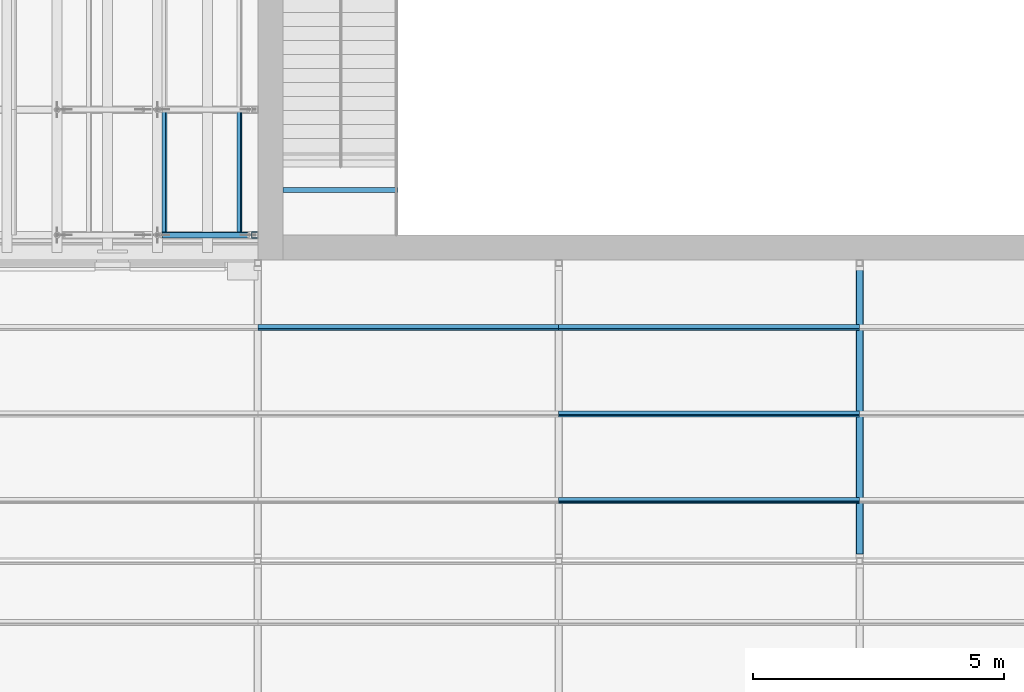
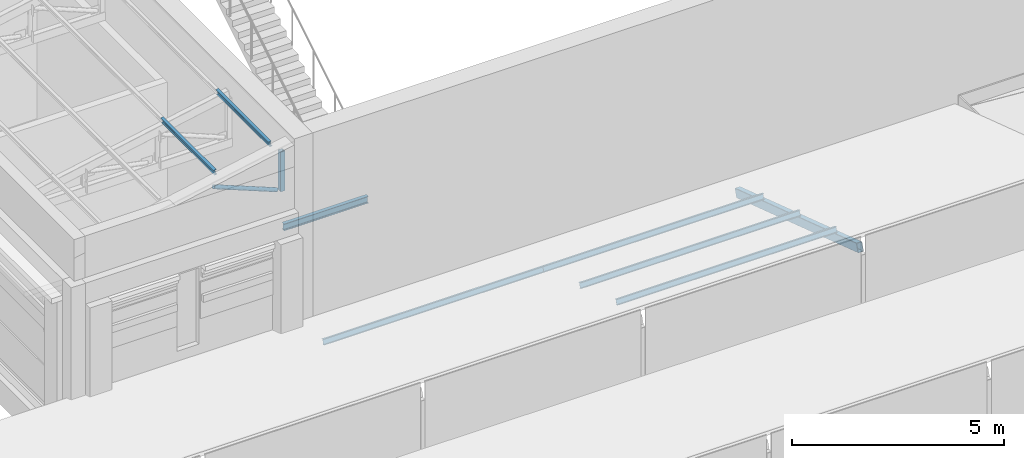
# One storey, part 15 of 118: 9 members, 1 beam.
"""IFC4 building model written with IfcOpenShell, lengths in metres."""

from ifc_helpers import new_model, si_unit, direction, frame, origin, origin_2d, place, context, subcontext, project, spatial, hollow_rectangle, hollow_circle, i_section, extrude, material, material_profile, profile_set, type_object, element, save


model = new_model("IFC4")

# Units and contexts
model_context = context("Model", 3, precision=1e-05, world=origin(), true_north=direction((0.0, 1.0)))
body_context = subcontext(model_context, "Body", "Model", "MODEL_VIEW")
ifc_project = project(units=[si_unit("LENGTHUNIT", "METRE"), si_unit("AREAUNIT", "SQUARE_METRE"), si_unit("VOLUMEUNIT", "CUBIC_METRE"), si_unit("PLANEANGLEUNIT", "RADIAN"), si_unit("MASSUNIT", "GRAM", prefix="KILO")], contexts=[model_context])

# Site, building, storey
site_placement = place(None, origin())
site = spatial("IfcSite", under=ifc_project, at=site_placement, CompositionType="ELEMENT")
building_placement = place(site_placement, origin())
building = spatial("IfcBuilding", under=site, at=building_placement, Name="Saffron Lane Theatres", CompositionType="ELEMENT")
storey_placement = place(building_placement, frame((0.0, 0.0, 16.5)))
storey = spatial("IfcBuildingStorey", under=building, at=storey_placement, Name="L03", CompositionType="ELEMENT", Elevation=16.5)

# Beam
ifc_material_1 = material(Name="Steel Grade 350", Category="steel")
ifc_material_profile_1 = material_profile(ifc_material_1, i_section(OverallWidth=0.09912109375, OverallDepth=0.197998046875, WebThickness=0.00439453125, FlangeThickness=0.007080078125, FilletRadius=0.010986328125, at=origin_2d()))
ifc_profile_set_1 = profile_set([ifc_material_profile_1], Name="Steel Grade 350")
beam_type = type_object("IfcBeamType", Name="ST-GALLERY BEAM 200UB18.2", PredefinedType="BEAM", material=ifc_profile_set_1)
beam_placement = place(storey_placement, frame((18.5, 31.39990234375, 2.950927734375), z_axis=(1.0, 0.0, 0.0), x_axis=(0.0, 1.0, 0.0)))
element("IfcBeam", 1, at=beam_placement, inside=storey, type_object=beam_type, Name="FLW19.75-1", PredefinedType="BEAM", context=body_context, shape_type="SweptSolid", body=[
    extrude(i_section(OverallWidth=0.09912109375, OverallDepth=0.197998046875, WebThickness=0.00439453125, FlangeThickness=0.007080078125, FilletRadius=0.010986328125, at=origin_2d()), origin(), (0.0, 0.0, 1.0), 2.300048828125),
])

# Members
ifc_material_2 = material(Name="Steel Grade 350", Category="steel")
ifc_material_profile_2 = material_profile(ifc_material_2, hollow_rectangle(XDim=0.125, YDim=0.125, WallThickness=0.006103515625, InnerFilletRadius=0.0029296875, OuterFilletRadius=0.009033203125, at=origin_2d()))
ifc_profile_set_2 = profile_set([ifc_material_profile_2], Name="Steel Grade 350")
member_type_1 = type_object("IfcMemberType", Name="ST-STUDIO POST 125x125x6 SHS", PredefinedType="POST", material=ifc_profile_set_2)
member_1_placement = place(storey_placement, frame((17.9375, 30.5, 4.75), z_axis=(0.0, 0.0, 1.0), x_axis=(1.0, 0.0, 0.0)))
element("IfcMember", 2, at=member_1_placement, inside=storey, type_object=member_type_1, Name="SB3-P3", PredefinedType="POST", context=body_context, shape_type="SweptSolid", body=[
    extrude(hollow_rectangle(XDim=0.125, YDim=0.125, WallThickness=0.006103515625, InnerFilletRadius=0.0029296875, OuterFilletRadius=0.009033203125, at=origin_2d()), origin(), (0.0, 0.0, 1.0), 1.140869140625),
])
ifc_material_3 = material(Name="Steel Grade 350", Category="steel")
ifc_material_profile_3 = material_profile(ifc_material_3, i_section(OverallWidth=0.074951171875, OverallDepth=0.155029296875, WebThickness=0.006103515625, FlangeThickness=0.009521484375, FilletRadius=0.008056640625, at=origin_2d()))
ifc_profile_set_3 = profile_set([ifc_material_profile_3], Name="Steel Grade 350")
member_type_2 = type_object("IfcMemberType", Name="ST-STUDIO PURLIN 150UB18.0", PredefinedType="PURLIN", material=ifc_profile_set_3)
for number, where, z_axis, x_axis, name in (
    (3, (24.0, 25.2099609375, 2.60498046875), (1.0, 0.0, 0.0), (0.0, 0.949628648787, -0.313377455162), "GSU55"),
    (4, (24.0, 26.93115234375, 2.036865234375), (1.0, 0.0, 0.0), (0.0, 0.949628648787, -0.313377455162), "GSU60"),
    (5, (18.0, 28.652587890625, 1.468994140625), (1.0, 0.0, 0.0), (0.0, 0.949628648787, -0.313377455162), "GSU64"),
    (6, (24.0, 28.652587890625, 1.468994140625), (1.0, 0.0, 0.0), (0.0, 0.949628648787, -0.313377455162), "GSU65"),
):
    element("IfcMember", number, at=place(storey_placement, frame(where, z_axis=z_axis, x_axis=x_axis)), inside=storey, type_object=member_type_2, Name=name, PredefinedType="PURLIN", context=body_context, shape_type="SweptSolid", body=[
        extrude(i_section(OverallWidth=0.074951171875, OverallDepth=0.155029296875, WebThickness=0.006103515625, FlangeThickness=0.009521484375, FilletRadius=0.008056640625, at=origin_2d()), origin(), (0.0, 0.0, 1.0), 6.0),
    ])
for number, where, z_axis, x_axis, name in (
    (7, (16.137451171875, 30.5, 5.88720703125), (0.0, 1.0, 0.0), (-0.981660567439, 0.0, -0.190637169344), "SB3-U53"),
    (8, (17.637451171875, 30.5, 6.178466796875), (0.0, 1.0, 0.0), (-0.981660567439, 0.0, -0.190637169344), "SB3-U58"),
):
    element("IfcMember", number, at=place(storey_placement, frame(where, z_axis=z_axis, x_axis=x_axis)), inside=storey, type_object=member_type_2, Name=name, PredefinedType="PURLIN", context=body_context, shape_type="SweptSolid", body=[
        extrude(i_section(OverallWidth=0.074951171875, OverallDepth=0.155029296875, WebThickness=0.006103515625, FlangeThickness=0.009521484375, FilletRadius=0.008056640625, at=origin_2d()), origin(), (0.0, 0.0, 1.0), 2.5),
    ])
ifc_material_4 = material(Name="Steel Grade 350", Category="steel")
ifc_material_profile_4 = material_profile(ifc_material_4, hollow_rectangle(XDim=0.14990234375, YDim=0.25, WallThickness=0.009033203125, InnerFilletRadius=0.00439453125, OuterFilletRadius=0.013427734375, at=origin_2d()))
ifc_profile_set_4 = profile_set([ifc_material_profile_4], Name="Steel Grade 350")
member_type_3 = type_object("IfcMemberType", Name="ST-STUDIO TRUSS CHORD 250x150x9 RHS", PredefinedType="CHORD", material=ifc_profile_set_4)
member_2_placement = place(storey_placement, frame((30.0, 24.1015625, 2.757568359375), z_axis=(0.0, 0.949629130372, -0.313375995807), x_axis=(-1.0, 0.0, 0.0)))
element("IfcMember", 9, at=member_2_placement, inside=storey, type_object=member_type_3, Name="GSC30", PredefinedType="CHORD", context=body_context, shape_type="SweptSolid", body=[
    extrude(hollow_rectangle(XDim=0.14990234375, YDim=0.25, WallThickness=0.009033203125, InnerFilletRadius=0.00439453125, OuterFilletRadius=0.013427734375, at=origin_2d()), origin(), (0.0, 0.0, 1.0), 6.03857421875),
])
ifc_material_5 = material(Name="Steel Grade 350", Category="steel")
ifc_material_profile_5 = material_profile(ifc_material_5, hollow_circle(Radius=0.05712890625, WallThickness=0.006103515625, at=origin_2d()))
ifc_profile_set_5 = profile_set([ifc_material_profile_5], Name="Steel Grade 350")
member_type_4 = type_object("IfcMemberType", Name="ST-STUDIO TRUSS WEB 114.3x6.0 CHS", PredefinedType="BRACE", material=ifc_profile_set_5)
member_3_placement = place(storey_placement, frame((17.80517578125, 30.5, 4.802978515625), z_axis=(-0.928149794968, 0.0, 0.372206875409), x_axis=(0.0, -1.0, 0.0)))
element("IfcMember", 10, at=member_3_placement, inside=storey, type_object=member_type_4, Name="SB3-W6", PredefinedType="BRACE", context=body_context, shape_type="SweptSolid", body=[
    extrude(hollow_circle(Radius=0.05712890625, WallThickness=0.006103515625, at=origin_2d()), origin(), (0.0, 0.0, 1.0), 1.856201171875),
])

save(model, "model.ifc")
